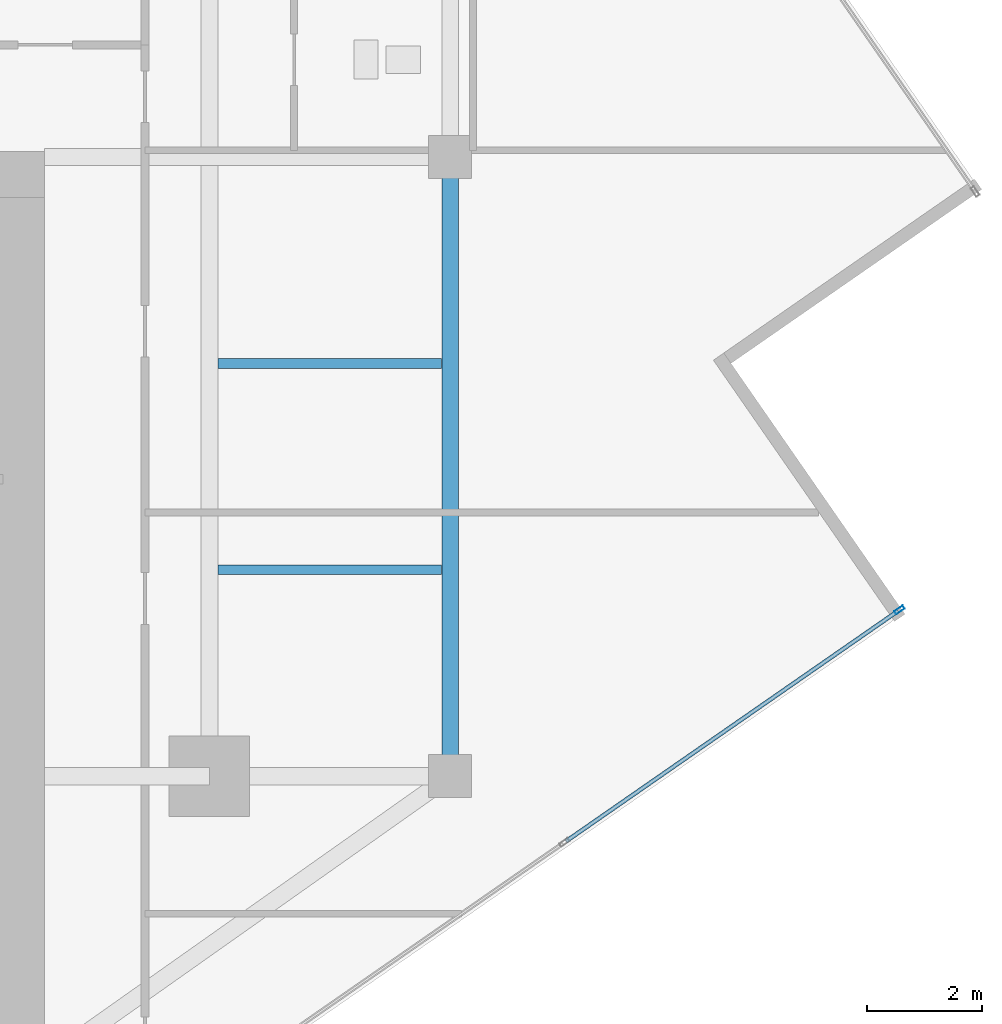
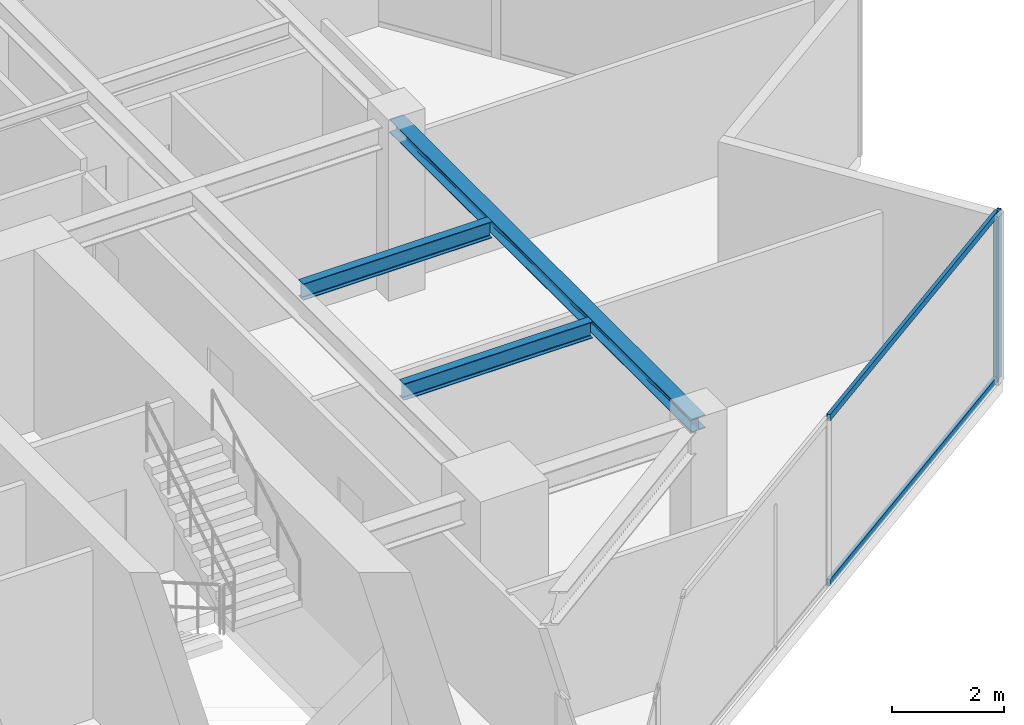
# One storey, part 9 of 21: 3 beams, 3 members, 1 element without a shape of its own.
"""IFC4 building model written with IfcOpenShell, lengths in metres."""

from ifc_helpers import new_model, si_unit, direction, frame, origin, origin_2d, place, context, subcontext, project, spatial, hollow_rectangle, i_section, extrude, source, transform, mapped, material, material_profile, profile_set, type_object, type_shapes, element, aggregate, save


model = new_model("IFC4")

# Units and contexts
model_context = context("Model", 3, precision=1e-05, world=origin(), true_north=direction((0.0, 1.0)))
body_context = subcontext(model_context, "Body", "Model", "MODEL_VIEW")
ifc_project = project(units=[si_unit("LENGTHUNIT", "METRE"), si_unit("AREAUNIT", "SQUARE_METRE"), si_unit("VOLUMEUNIT", "CUBIC_METRE"), si_unit("PLANEANGLEUNIT", "RADIAN"), si_unit("MASSUNIT", "GRAM", prefix="KILO")], contexts=[model_context])

# Site, building, storey
site_placement = place(None, origin())
site = spatial("IfcSite", under=ifc_project, at=site_placement, CompositionType="ELEMENT")
building_placement = place(site_placement, origin())
building = spatial("IfcBuilding", under=site, at=building_placement, Name="Krantzveldt Concourse Tower", CompositionType="ELEMENT")
storey_placement = place(building_placement, frame((0.0, 0.0, 275.300048828125)))
storey = spatial("IfcBuildingStorey", under=building, at=storey_placement, Name="L67", CompositionType="ELEMENT", Elevation=275.300048828125)

# Beams
ifc_material_1 = material(Name="Steel S355JR", Category="steel")
ifc_material_profile_1 = material_profile(ifc_material_1, i_section(OverallWidth=0.2900390625, OverallDepth=0.2900390625, WebThickness=0.008544921875, FlangeThickness=0.013916015625, FilletRadius=0.027099609375, at=origin_2d()), Name="Steel S355JR", Category="steel")
ifc_profile_set_1 = profile_set([ifc_material_profile_1], Name="Steel S355JR - HEA 300")
beam_type_1 = type_object("IfcBeamType", Name="BM-SP-HEA300", PredefinedType="SPANDREL", material=ifc_profile_set_1)
shared_shape_1 = source(origin(), body_context, "Body", "SweptSolid", [
    extrude(i_section(OverallWidth=0.2900390625, OverallDepth=0.2900390625, WebThickness=0.008544921875, FlangeThickness=0.013916015625, FilletRadius=0.027099609375, at=origin_2d()), origin(), (0.0, 0.0, 1.0), 10.800048828125),
])
type_shapes(beam_type_1, [shared_shape_1])
beam_placement = place(storey_placement, frame((51.0, 26.699951171875, 3.52490234375), z_axis=(0.0, -1.0, 0.0), x_axis=(1.0, 0.0, 0.0)))
element("IfcBeam", 1, at=beam_placement, inside=storey, type_object=beam_type_1, Name="L67 Tower Girder SP-R07", PredefinedType="SPANDREL", context=body_context, shape_type="MappedRepresentation", body=[
    mapped(shared_shape_1, transform((0.0, 0.0, 0.0), x_axis=(1.0, 0.0, 0.0), y_axis=(0.0, 1.0, 0.0), z_axis=(0.0, 0.0, 1.0), scale=1.0)),
])
ifc_material_profile_2 = material_profile(ifc_material_1, i_section(OverallWidth=0.169921875, OverallDepth=0.360107421875, WebThickness=0.008056640625, FlangeThickness=0.0126953125, FilletRadius=0.01806640625, at=origin_2d()), Name="Steel S355JR", Category="steel")
ifc_profile_set_2 = profile_set([ifc_material_profile_2], Name="Steel S355JR - IPE 360")
beam_type_2 = type_object("IfcBeamType", Name="BM-J-IPE360", PredefinedType="JOIST", material=ifc_profile_set_2)
shared_shape_2 = source(origin(), body_context, "Body", "SweptSolid", [
    extrude(i_section(OverallWidth=0.169921875, OverallDepth=0.360107421875, WebThickness=0.008056640625, FlangeThickness=0.0126953125, FilletRadius=0.01806640625, at=origin_2d()), origin(), (0.0, 0.0, 1.0), 3.900146484375),
])
type_shapes(beam_type_2, [shared_shape_2])
for number, where, z_axis, x_axis, name in (
    (2, (46.949951171875, 19.5, 3.489990234375), (1.0, 0.0, 0.0), (0.0, 1.0, 0.0), "L67 Secondary Floor Joist JE-1"),
    (3, (46.949951171875, 23.10009765625, 3.489990234375), (1.0, 0.0, 0.0), (0.0, 1.0, 0.0), "L67 Secondary Floor Joist JE-2"),
):
    element("IfcBeam", number, at=place(storey_placement, frame(where, z_axis=z_axis, x_axis=x_axis)), inside=storey, type_object=beam_type_2, Name=name, PredefinedType="JOIST", context=body_context, shape_type="MappedRepresentation", body=[
        mapped(shared_shape_2, transform((0.0, 0.0, 0.0), x_axis=(1.0, 0.0, 0.0), y_axis=(0.0, 1.0, 0.0), z_axis=(0.0, 0.0, 1.0), scale=1.0)),
    ])

# Curtain wall, members
ifc_material_2 = material(Name="Anodised aluminium 6063-T6", Category="aluminium")
curtain_wall_type = type_object("IfcCurtainWallType", Name="CW4", PredefinedType="USERDEFINED", material=ifc_material_2)
curtain_wall_placement = place(storey_placement, origin())
curtain_wall = element("IfcCurtainWall", 4, at=curtain_wall_placement, inside=storey, type_object=curtain_wall_type, Name="CW-L67-F11", ObjectType="UNITISED CURTAIN WALL", PredefinedType="USERDEFINED")
ifc_material_profile_3 = material_profile(ifc_material_2, hollow_rectangle(XDim=0.070068359375, YDim=0.179931640625, WallThickness=0.0048828125, at=origin_2d()), Name="Anodised aluminium 6063-T6", Category="aluminium")
ifc_profile_set_3 = profile_set([ifc_material_profile_3], Name="Anodised aluminium 6063-T6 - ALU-MULL 180x70x5")
member_type_1 = type_object("IfcMemberType", Name="CW-MUL-180", PredefinedType="MULLION", material=ifc_profile_set_3)
shared_shape_3 = source(origin(), body_context, "Body", "SweptSolid", [
    extrude(hollow_rectangle(XDim=0.070068359375, YDim=0.179931640625, WallThickness=0.0048828125, at=origin_2d()), origin(), (0.0, 0.0, 1.0), 3.669921875),
])
type_shapes(member_type_1, [shared_shape_3])
member_1_placement = place(storey_placement, frame((58.841552734375, 18.80078125, 0.0), z_axis=(0.0, 0.0, 1.0), x_axis=(-0.569996627395, 0.821647031735, 0.0)))
member_1 = element("IfcMember", 5, at=member_1_placement, type_object=member_type_1, Name="CW-Z56 mullion 5", PredefinedType="MULLION", context=body_context, shape_type="MappedRepresentation", body=[
    mapped(shared_shape_3, transform((0.0, 0.0, 0.0), x_axis=(1.0, 0.0, 0.0), y_axis=(0.0, 1.0, 0.0), z_axis=(0.0, 0.0, 1.0), scale=1.0)),
])
ifc_material_profile_4 = material_profile(ifc_material_2, hollow_rectangle(XDim=0.070068359375, YDim=0.139892578125, WallThickness=0.0048828125, at=origin_2d()), Name="Anodised aluminium 6063-T6", Category="aluminium")
ifc_profile_set_4 = profile_set([ifc_material_profile_4], Name="Anodised aluminium 6063-T6 - ALU-TRAN 140x70x5")
member_type_2 = type_object("IfcMemberType", Name="CW-TRN-150", PredefinedType="USERDEFINED", material=ifc_profile_set_4)
shared_shape_4 = source(origin(), body_context, "Body", "SweptSolid", [
    extrude(hollow_rectangle(XDim=0.070068359375, YDim=0.139892578125, WallThickness=0.0048828125, at=origin_2d()), origin(), (0.0, 0.0, 1.0), 7.045166015625),
])
type_shapes(member_type_2, [shared_shape_4])
member_2_placement = place(storey_placement, frame((53.024169921875, 14.76513671875, 0.034912109375), z_axis=(0.821650382926, 0.569991796641, 0.0), x_axis=(-0.569991796641, 0.821650382926, 0.0)))
member_2 = element("IfcMember", 6, at=member_2_placement, type_object=member_type_2, Name="CW-Z56 transom 4.1", ObjectType="TRANSOM", PredefinedType="USERDEFINED", context=body_context, shape_type="MappedRepresentation", body=[
    mapped(shared_shape_4, transform((0.0, 0.0, 0.0), x_axis=(1.0, 0.0, 0.0), y_axis=(0.0, 1.0, 0.0), z_axis=(0.0, 0.0, 1.0), scale=1.0)),
])
member_3_placement = place(storey_placement, frame((53.024169921875, 14.76513671875, 3.635009765625), z_axis=(0.821650382926, 0.569991796641, 0.0), x_axis=(-0.569991796641, 0.821650382926, 0.0)))
member_3 = element("IfcMember", 7, at=member_3_placement, type_object=member_type_2, Name="CW-Z56 transom 4.2", ObjectType="TRANSOM", PredefinedType="USERDEFINED", context=body_context, shape_type="MappedRepresentation", body=[
    mapped(shared_shape_4, transform((0.0, 0.0, 0.0), x_axis=(1.0, 0.0, 0.0), y_axis=(0.0, 1.0, 0.0), z_axis=(0.0, 0.0, 1.0), scale=1.0)),
])
aggregate(curtain_wall, [member_1, member_2, member_3])

save(model, "model.ifc")
